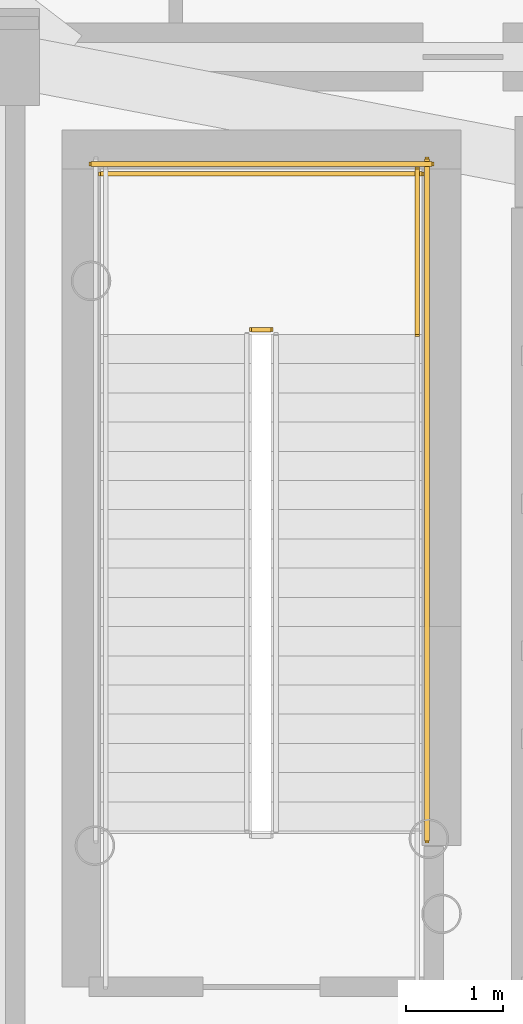
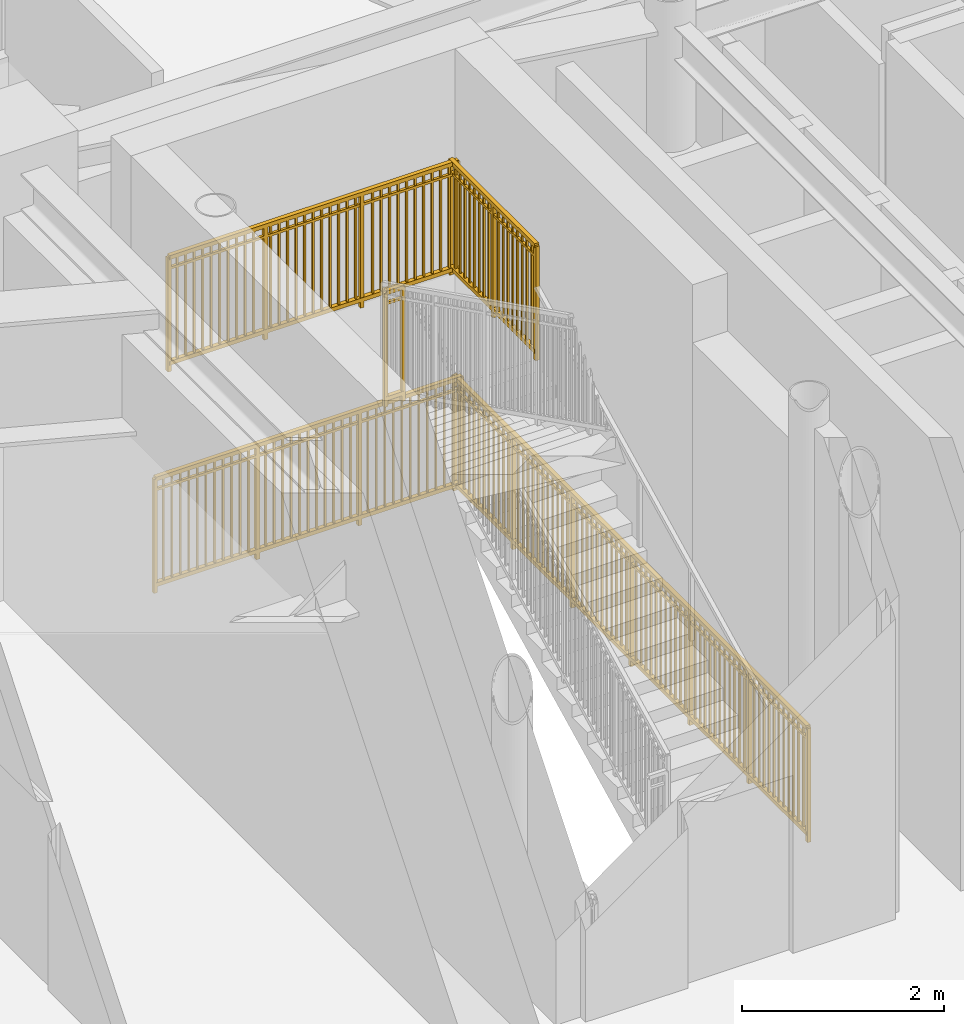
# One storey, part 11 of 14: 5 railings.
"""IFC4 building model written with IfcOpenShell, lengths in metres."""

from ifc_helpers import new_model, si_unit, direction, frame, origin, origin_2d, place, context, subcontext, project, spatial, rectangle, extrude, source, transform, mapped, material, type_object, element, save


model = new_model("IFC4")

# Units and contexts
model_context = context("Model", 3, precision=1e-05, world=origin(), true_north=direction((0.0, 1.0)))
body_context = subcontext(model_context, "Body", "Model", "MODEL_VIEW")
ifc_project = project(units=[si_unit("LENGTHUNIT", "METRE"), si_unit("AREAUNIT", "SQUARE_METRE"), si_unit("VOLUMEUNIT", "CUBIC_METRE"), si_unit("PLANEANGLEUNIT", "RADIAN"), si_unit("MASSUNIT", "GRAM", prefix="KILO")], contexts=[model_context])

# Site, building, storey
site_placement = place(None, origin())
site = spatial("IfcSite", under=ifc_project, at=site_placement, CompositionType="ELEMENT")
building_placement = place(site_placement, origin())
building = spatial("IfcBuilding", under=site, at=building_placement, Name="Linh Dai School and Residence Tower", CompositionType="ELEMENT")
storey_placement = place(building_placement, frame((0.0, 0.0, 262.800048828125)))
storey = spatial("IfcBuildingStorey", under=building, at=storey_placement, Name="L65", CompositionType="ELEMENT", Elevation=262.800048828125)

# Railings
ifc_material = material(Name="Structural Steel S355JR", Category="steel")
railing_type = type_object("IfcRailingType", Name="RL-ST-GUARD-1400", PredefinedType="GUARDRAIL", material=ifc_material)
shared_shape_1 = source(origin(), body_context, "Body", "SweptSolid", [
    extrude(rectangle(XDim=0.048095703125, YDim=0.048095703125, at=origin_2d()), frame((0.0, 0.0, 1.3759765625), z_axis=(-1.0, 0.0, 0.0), x_axis=(0.0, -1.0, 0.0)), (0.0, 0.0, 1.0), 0.199951171875),
    extrude(rectangle(XDim=0.048095703125, YDim=0.048095703125, at=origin_2d()), frame((0.0, 0.0, 0.10009765625), z_axis=(-1.0, 0.0, 0.0), x_axis=(0.0, -1.0, 0.0)), (0.0, 0.0, 1.0), 0.199951171875),
    extrude(rectangle(XDim=0.030029296875, YDim=0.030029296875, at=origin_2d()), frame((0.0, 0.0, 1.239990234375), z_axis=(-1.0, 0.0, 0.0), x_axis=(0.0, -1.0, 0.0)), (0.0, 0.0, 1.0), 0.199951171875),
    extrude(rectangle(XDim=0.0419921875, YDim=0.0419921875, at=origin_2d()), origin(), (0.0, 0.0, 1.0), 1.3759765625),
    extrude(rectangle(XDim=0.0419921875, YDim=0.0419921875, at=origin_2d()), frame((-0.199951171875, 0.0, 0.0)), (0.0, 0.0, 1.0), 1.3759765625),
])
railing_1_placement = place(storey_placement, frame((29.429931640625, 30.85009765625, 2.699951171875)))
element("IfcRailing", 1, at=railing_1_placement, inside=storey, type_object=railing_type, Name="L65 ST1 stair guard 2", PredefinedType="GUARDRAIL", context=body_context, shape_type="MappedRepresentation", body=[
    mapped(shared_shape_1, transform((0.0, 0.0, 0.0), x_axis=(1.0, 0.0, 0.0), y_axis=(0.0, 1.0, 0.0), z_axis=(0.0, 0.0, 1.0), scale=1.0)),
])
shared_shape_2 = source(origin(), body_context, "Body", "SweptSolid", [
    extrude(rectangle(XDim=0.048095703125, YDim=0.048095703125, at=origin_2d()), frame((0.0, 0.0, 1.3759765625), z_axis=(-1.0, 0.0, 0.0), x_axis=(0.0, -1.0, 0.0)), (0.0, 0.0, 1.0), 3.300048828125),
    extrude(rectangle(XDim=0.048095703125, YDim=0.048095703125, at=origin_2d()), frame((0.0, 0.0, 0.10009765625), z_axis=(-1.0, 0.0, 0.0), x_axis=(0.0, -1.0, 0.0)), (0.0, 0.0, 1.0), 3.300048828125),
    extrude(rectangle(XDim=0.030029296875, YDim=0.030029296875, at=origin_2d()), frame((0.0, 0.0, 1.239990234375), z_axis=(-1.0, 0.0, 0.0), x_axis=(0.0, -1.0, 0.0)), (0.0, 0.0, 1.0), 3.300048828125),
    extrude(rectangle(XDim=0.02001953125, YDim=0.02001953125, at=origin_2d()), frame((-0.09716796875, 0.0, 0.10009765625)), (0.0, 0.0, 1.0), 1.251708984375),
    extrude(rectangle(XDim=0.02001953125, YDim=0.02001953125, at=origin_2d()), frame((-0.194091796875, 0.0, 0.10009765625)), (0.0, 0.0, 1.0), 1.251708984375),
    extrude(rectangle(XDim=0.02001953125, YDim=0.02001953125, at=origin_2d()), frame((-0.291259765625, 0.0, 0.10009765625)), (0.0, 0.0, 1.0), 1.251708984375),
    extrude(rectangle(XDim=0.02001953125, YDim=0.02001953125, at=origin_2d()), frame((-0.38818359375, 0.0, 0.10009765625)), (0.0, 0.0, 1.0), 1.251708984375),
    extrude(rectangle(XDim=0.02001953125, YDim=0.02001953125, at=origin_2d()), frame((-0.4853515625, 0.0, 0.10009765625)), (0.0, 0.0, 1.0), 1.251708984375),
    extrude(rectangle(XDim=0.02001953125, YDim=0.02001953125, at=origin_2d()), frame((-0.582275390625, 0.0, 0.10009765625)), (0.0, 0.0, 1.0), 1.251708984375),
    extrude(rectangle(XDim=0.02001953125, YDim=0.02001953125, at=origin_2d()), frame((-0.679443359375, 0.0, 0.10009765625)), (0.0, 0.0, 1.0), 1.251708984375),
    extrude(rectangle(XDim=0.02001953125, YDim=0.02001953125, at=origin_2d()), frame((-0.7763671875, 0.0, 0.10009765625)), (0.0, 0.0, 1.0), 1.251708984375),
    extrude(rectangle(XDim=0.02001953125, YDim=0.02001953125, at=origin_2d()), frame((-0.87353515625, 0.0, 0.10009765625)), (0.0, 0.0, 1.0), 1.251708984375),
    extrude(rectangle(XDim=0.02001953125, YDim=0.02001953125, at=origin_2d()), frame((-0.970703125, 0.0, 0.10009765625)), (0.0, 0.0, 1.0), 1.251708984375),
    extrude(rectangle(XDim=0.02001953125, YDim=0.02001953125, at=origin_2d()), frame((-1.164794921875, 0.0, 0.10009765625)), (0.0, 0.0, 1.0), 1.251708984375),
    extrude(rectangle(XDim=0.02001953125, YDim=0.02001953125, at=origin_2d()), frame((-1.26171875, 0.0, 0.10009765625)), (0.0, 0.0, 1.0), 1.251708984375),
    extrude(rectangle(XDim=0.02001953125, YDim=0.02001953125, at=origin_2d()), frame((-1.35888671875, 0.0, 0.10009765625)), (0.0, 0.0, 1.0), 1.251708984375),
    extrude(rectangle(XDim=0.02001953125, YDim=0.02001953125, at=origin_2d()), frame((-1.455810546875, 0.0, 0.10009765625)), (0.0, 0.0, 1.0), 1.251708984375),
    extrude(rectangle(XDim=0.02001953125, YDim=0.02001953125, at=origin_2d()), frame((-1.552978515625, 0.0, 0.10009765625)), (0.0, 0.0, 1.0), 1.251708984375),
    extrude(rectangle(XDim=0.02001953125, YDim=0.02001953125, at=origin_2d()), frame((-1.64990234375, 0.0, 0.10009765625)), (0.0, 0.0, 1.0), 1.251708984375),
    extrude(rectangle(XDim=0.02001953125, YDim=0.02001953125, at=origin_2d()), frame((-1.7470703125, 0.0, 0.10009765625)), (0.0, 0.0, 1.0), 1.251708984375),
    extrude(rectangle(XDim=0.02001953125, YDim=0.02001953125, at=origin_2d()), frame((-1.84423828125, 0.0, 0.10009765625)), (0.0, 0.0, 1.0), 1.251708984375),
    extrude(rectangle(XDim=0.02001953125, YDim=0.02001953125, at=origin_2d()), frame((-1.941162109375, 0.0, 0.10009765625)), (0.0, 0.0, 1.0), 1.251708984375),
    extrude(rectangle(XDim=0.02001953125, YDim=0.02001953125, at=origin_2d()), frame((-2.038330078125, 0.0, 0.10009765625)), (0.0, 0.0, 1.0), 1.251708984375),
    extrude(rectangle(XDim=0.02001953125, YDim=0.02001953125, at=origin_2d()), frame((-2.13525390625, 0.0, 0.10009765625)), (0.0, 0.0, 1.0), 1.251708984375),
    extrude(rectangle(XDim=0.02001953125, YDim=0.02001953125, at=origin_2d()), frame((-2.329345703125, 0.0, 0.10009765625)), (0.0, 0.0, 1.0), 1.251708984375),
    extrude(rectangle(XDim=0.02001953125, YDim=0.02001953125, at=origin_2d()), frame((-2.426513671875, 0.0, 0.10009765625)), (0.0, 0.0, 1.0), 1.251708984375),
    extrude(rectangle(XDim=0.02001953125, YDim=0.02001953125, at=origin_2d()), frame((-2.523681640625, 0.0, 0.10009765625)), (0.0, 0.0, 1.0), 1.251708984375),
    extrude(rectangle(XDim=0.02001953125, YDim=0.02001953125, at=origin_2d()), frame((-2.62060546875, 0.0, 0.10009765625)), (0.0, 0.0, 1.0), 1.251708984375),
    extrude(rectangle(XDim=0.02001953125, YDim=0.02001953125, at=origin_2d()), frame((-2.7177734375, 0.0, 0.10009765625)), (0.0, 0.0, 1.0), 1.251708984375),
    extrude(rectangle(XDim=0.02001953125, YDim=0.02001953125, at=origin_2d()), frame((-2.814697265625, 0.0, 0.10009765625)), (0.0, 0.0, 1.0), 1.251708984375),
    extrude(rectangle(XDim=0.02001953125, YDim=0.02001953125, at=origin_2d()), frame((-2.911865234375, 0.0, 0.10009765625)), (0.0, 0.0, 1.0), 1.251708984375),
    extrude(rectangle(XDim=0.02001953125, YDim=0.02001953125, at=origin_2d()), frame((-3.0087890625, 0.0, 0.10009765625)), (0.0, 0.0, 1.0), 1.251708984375),
    extrude(rectangle(XDim=0.02001953125, YDim=0.02001953125, at=origin_2d()), frame((-3.10595703125, 0.0, 0.10009765625)), (0.0, 0.0, 1.0), 1.251708984375),
    extrude(rectangle(XDim=0.02001953125, YDim=0.02001953125, at=origin_2d()), frame((-3.202880859375, 0.0, 0.10009765625)), (0.0, 0.0, 1.0), 1.251708984375),
    extrude(rectangle(XDim=0.0419921875, YDim=0.0419921875, at=origin_2d()), origin(), (0.0, 0.0, 1.0), 1.3759765625),
    extrude(rectangle(XDim=0.0419921875, YDim=0.0419921875, at=origin_2d()), frame((-1.10009765625, 0.0, 0.0)), (0.0, 0.0, 1.0), 1.3759765625),
    extrude(rectangle(XDim=0.0419921875, YDim=0.0419921875, at=origin_2d()), frame((-2.199951171875, 0.0, 0.0)), (0.0, 0.0, 1.0), 1.3759765625),
    extrude(rectangle(XDim=0.0419921875, YDim=0.0419921875, at=origin_2d()), frame((-3.300048828125, 0.0, 0.0)), (0.0, 0.0, 1.0), 1.3759765625),
])
railing_2_placement = place(storey_placement, frame((30.97998046875, 32.449951171875, 2.699951171875)))
element("IfcRailing", 2, at=railing_2_placement, inside=storey, type_object=railing_type, Name="L65 ST1 stair guard 5", PredefinedType="GUARDRAIL", context=body_context, shape_type="MappedRepresentation", body=[
    mapped(shared_shape_2, transform((0.0, 0.0, 0.0), x_axis=(1.0, 0.0, 0.0), y_axis=(0.0, 1.0, 0.0), z_axis=(0.0, 0.0, 1.0), scale=1.0)),
])
shared_shape_3 = source(origin(), body_context, "Body", "SweptSolid", [
    extrude(rectangle(XDim=0.048095703125, YDim=0.048095703125, at=origin_2d()), frame((0.0, 0.0, 1.3759765625), z_axis=(0.0, 1.0, 0.0), x_axis=(-1.0, 0.0, 0.0)), (0.0, 0.0, 1.0), 7.0),
    extrude(rectangle(XDim=0.048095703125, YDim=0.048095703125, at=origin_2d()), frame((0.0, 0.0, 0.10009765625), z_axis=(0.0, 1.0, 0.0), x_axis=(-1.0, 0.0, 0.0)), (0.0, 0.0, 1.0), 7.0),
    extrude(rectangle(XDim=0.030029296875, YDim=0.030029296875, at=origin_2d()), frame((0.0, 0.0, 1.239990234375), z_axis=(0.0, 1.0, 0.0), x_axis=(-1.0, 0.0, 0.0)), (0.0, 0.0, 1.0), 7.0),
    extrude(rectangle(XDim=0.02001953125, YDim=0.02001953125, at=origin_2d()), frame((0.0, 0.09716796875, 0.10009765625)), (0.0, 0.0, 1.0), 1.251708984375),
    extrude(rectangle(XDim=0.02001953125, YDim=0.02001953125, at=origin_2d()), frame((0.0, 0.1943359375, 0.10009765625)), (0.0, 0.0, 1.0), 1.251708984375),
    extrude(rectangle(XDim=0.02001953125, YDim=0.02001953125, at=origin_2d()), frame((0.0, 0.291748046875, 0.10009765625)), (0.0, 0.0, 1.0), 1.251708984375),
    extrude(rectangle(XDim=0.02001953125, YDim=0.02001953125, at=origin_2d()), frame((0.0, 0.388916015625, 0.10009765625)), (0.0, 0.0, 1.0), 1.251708984375),
    extrude(rectangle(XDim=0.02001953125, YDim=0.02001953125, at=origin_2d()), frame((0.0, 0.486083984375, 0.10009765625)), (0.0, 0.0, 1.0), 1.251708984375),
    extrude(rectangle(XDim=0.02001953125, YDim=0.02001953125, at=origin_2d()), frame((0.0, 0.583251953125, 0.10009765625)), (0.0, 0.0, 1.0), 1.251708984375),
    extrude(rectangle(XDim=0.02001953125, YDim=0.02001953125, at=origin_2d()), frame((0.0, 0.6806640625, 0.10009765625)), (0.0, 0.0, 1.0), 1.251708984375),
    extrude(rectangle(XDim=0.02001953125, YDim=0.02001953125, at=origin_2d()), frame((0.0, 0.77783203125, 0.10009765625)), (0.0, 0.0, 1.0), 1.251708984375),
    extrude(rectangle(XDim=0.02001953125, YDim=0.02001953125, at=origin_2d()), frame((0.0, 0.875, 0.10009765625)), (0.0, 0.0, 1.0), 1.251708984375),
    extrude(rectangle(XDim=0.02001953125, YDim=0.02001953125, at=origin_2d()), frame((0.0, 0.97216796875, 0.10009765625)), (0.0, 0.0, 1.0), 1.251708984375),
    extrude(rectangle(XDim=0.02001953125, YDim=0.02001953125, at=origin_2d()), frame((0.0, 1.0693359375, 0.10009765625)), (0.0, 0.0, 1.0), 1.251708984375),
    extrude(rectangle(XDim=0.02001953125, YDim=0.02001953125, at=origin_2d()), frame((0.0, 1.263916015625, 0.10009765625)), (0.0, 0.0, 1.0), 1.251708984375),
    extrude(rectangle(XDim=0.02001953125, YDim=0.02001953125, at=origin_2d()), frame((0.0, 1.361083984375, 0.10009765625)), (0.0, 0.0, 1.0), 1.251708984375),
    extrude(rectangle(XDim=0.02001953125, YDim=0.02001953125, at=origin_2d()), frame((0.0, 1.458251953125, 0.10009765625)), (0.0, 0.0, 1.0), 1.251708984375),
    extrude(rectangle(XDim=0.02001953125, YDim=0.02001953125, at=origin_2d()), frame((0.0, 1.5556640625, 0.10009765625)), (0.0, 0.0, 1.0), 1.251708984375),
    extrude(rectangle(XDim=0.02001953125, YDim=0.02001953125, at=origin_2d()), frame((0.0, 1.65283203125, 0.10009765625)), (0.0, 0.0, 1.0), 1.251708984375),
    extrude(rectangle(XDim=0.02001953125, YDim=0.02001953125, at=origin_2d()), frame((0.0, 1.75, 0.10009765625)), (0.0, 0.0, 1.0), 1.251708984375),
    extrude(rectangle(XDim=0.02001953125, YDim=0.02001953125, at=origin_2d()), frame((0.0, 1.84716796875, 0.10009765625)), (0.0, 0.0, 1.0), 1.251708984375),
    extrude(rectangle(XDim=0.02001953125, YDim=0.02001953125, at=origin_2d()), frame((0.0, 1.9443359375, 0.10009765625)), (0.0, 0.0, 1.0), 1.251708984375),
    extrude(rectangle(XDim=0.02001953125, YDim=0.02001953125, at=origin_2d()), frame((0.0, 2.041748046875, 0.10009765625)), (0.0, 0.0, 1.0), 1.251708984375),
    extrude(rectangle(XDim=0.02001953125, YDim=0.02001953125, at=origin_2d()), frame((0.0, 2.138916015625, 0.10009765625)), (0.0, 0.0, 1.0), 1.251708984375),
    extrude(rectangle(XDim=0.02001953125, YDim=0.02001953125, at=origin_2d()), frame((0.0, 2.236083984375, 0.10009765625)), (0.0, 0.0, 1.0), 1.251708984375),
    extrude(rectangle(XDim=0.02001953125, YDim=0.02001953125, at=origin_2d()), frame((0.0, 2.4306640625, 0.10009765625)), (0.0, 0.0, 1.0), 1.251708984375),
    extrude(rectangle(XDim=0.02001953125, YDim=0.02001953125, at=origin_2d()), frame((0.0, 2.52783203125, 0.10009765625)), (0.0, 0.0, 1.0), 1.251708984375),
    extrude(rectangle(XDim=0.02001953125, YDim=0.02001953125, at=origin_2d()), frame((0.0, 2.625, 0.10009765625)), (0.0, 0.0, 1.0), 1.251708984375),
    extrude(rectangle(XDim=0.02001953125, YDim=0.02001953125, at=origin_2d()), frame((0.0, 2.72216796875, 0.10009765625)), (0.0, 0.0, 1.0), 1.251708984375),
    extrude(rectangle(XDim=0.02001953125, YDim=0.02001953125, at=origin_2d()), frame((0.0, 2.8193359375, 0.10009765625)), (0.0, 0.0, 1.0), 1.251708984375),
    extrude(rectangle(XDim=0.02001953125, YDim=0.02001953125, at=origin_2d()), frame((0.0, 2.916748046875, 0.10009765625)), (0.0, 0.0, 1.0), 1.251708984375),
    extrude(rectangle(XDim=0.02001953125, YDim=0.02001953125, at=origin_2d()), frame((0.0, 3.013916015625, 0.10009765625)), (0.0, 0.0, 1.0), 1.251708984375),
    extrude(rectangle(XDim=0.02001953125, YDim=0.02001953125, at=origin_2d()), frame((0.0, 3.111083984375, 0.10009765625)), (0.0, 0.0, 1.0), 1.251708984375),
    extrude(rectangle(XDim=0.02001953125, YDim=0.02001953125, at=origin_2d()), frame((0.0, 3.208251953125, 0.10009765625)), (0.0, 0.0, 1.0), 1.251708984375),
    extrude(rectangle(XDim=0.02001953125, YDim=0.02001953125, at=origin_2d()), frame((0.0, 3.3056640625, 0.10009765625)), (0.0, 0.0, 1.0), 1.251708984375),
    extrude(rectangle(XDim=0.02001953125, YDim=0.02001953125, at=origin_2d()), frame((0.0, 3.40283203125, 0.10009765625)), (0.0, 0.0, 1.0), 1.251708984375),
    extrude(rectangle(XDim=0.02001953125, YDim=0.02001953125, at=origin_2d()), frame((0.0, 3.59716796875, 0.10009765625)), (0.0, 0.0, 1.0), 1.251708984375),
    extrude(rectangle(XDim=0.02001953125, YDim=0.02001953125, at=origin_2d()), frame((0.0, 3.6943359375, 0.10009765625)), (0.0, 0.0, 1.0), 1.251708984375),
    extrude(rectangle(XDim=0.02001953125, YDim=0.02001953125, at=origin_2d()), frame((0.0, 3.791748046875, 0.10009765625)), (0.0, 0.0, 1.0), 1.251708984375),
    extrude(rectangle(XDim=0.02001953125, YDim=0.02001953125, at=origin_2d()), frame((0.0, 3.888916015625, 0.10009765625)), (0.0, 0.0, 1.0), 1.251708984375),
    extrude(rectangle(XDim=0.02001953125, YDim=0.02001953125, at=origin_2d()), frame((0.0, 3.986083984375, 0.10009765625)), (0.0, 0.0, 1.0), 1.251708984375),
    extrude(rectangle(XDim=0.02001953125, YDim=0.02001953125, at=origin_2d()), frame((0.0, 4.083251953125, 0.10009765625)), (0.0, 0.0, 1.0), 1.251708984375),
    extrude(rectangle(XDim=0.02001953125, YDim=0.02001953125, at=origin_2d()), frame((0.0, 4.1806640625, 0.10009765625)), (0.0, 0.0, 1.0), 1.251708984375),
    extrude(rectangle(XDim=0.02001953125, YDim=0.02001953125, at=origin_2d()), frame((0.0, 4.27783203125, 0.10009765625)), (0.0, 0.0, 1.0), 1.251708984375),
    extrude(rectangle(XDim=0.02001953125, YDim=0.02001953125, at=origin_2d()), frame((0.0, 4.375, 0.10009765625)), (0.0, 0.0, 1.0), 1.251708984375),
    extrude(rectangle(XDim=0.02001953125, YDim=0.02001953125, at=origin_2d()), frame((0.0, 4.47216796875, 0.10009765625)), (0.0, 0.0, 1.0), 1.251708984375),
    extrude(rectangle(XDim=0.02001953125, YDim=0.02001953125, at=origin_2d()), frame((0.0, 4.5693359375, 0.10009765625)), (0.0, 0.0, 1.0), 1.251708984375),
    extrude(rectangle(XDim=0.02001953125, YDim=0.02001953125, at=origin_2d()), frame((0.0, 4.763916015625, 0.10009765625)), (0.0, 0.0, 1.0), 1.251708984375),
    extrude(rectangle(XDim=0.02001953125, YDim=0.02001953125, at=origin_2d()), frame((0.0, 4.861083984375, 0.10009765625)), (0.0, 0.0, 1.0), 1.251708984375),
    extrude(rectangle(XDim=0.02001953125, YDim=0.02001953125, at=origin_2d()), frame((0.0, 4.958251953125, 0.10009765625)), (0.0, 0.0, 1.0), 1.251708984375),
    extrude(rectangle(XDim=0.02001953125, YDim=0.02001953125, at=origin_2d()), frame((0.0, 5.0556640625, 0.10009765625)), (0.0, 0.0, 1.0), 1.251708984375),
    extrude(rectangle(XDim=0.02001953125, YDim=0.02001953125, at=origin_2d()), frame((0.0, 5.15283203125, 0.10009765625)), (0.0, 0.0, 1.0), 1.251708984375),
    extrude(rectangle(XDim=0.02001953125, YDim=0.02001953125, at=origin_2d()), frame((0.0, 5.25, 0.10009765625)), (0.0, 0.0, 1.0), 1.251708984375),
    extrude(rectangle(XDim=0.02001953125, YDim=0.02001953125, at=origin_2d()), frame((0.0, 5.34716796875, 0.10009765625)), (0.0, 0.0, 1.0), 1.251708984375),
    extrude(rectangle(XDim=0.02001953125, YDim=0.02001953125, at=origin_2d()), frame((0.0, 5.4443359375, 0.10009765625)), (0.0, 0.0, 1.0), 1.251708984375),
    extrude(rectangle(XDim=0.02001953125, YDim=0.02001953125, at=origin_2d()), frame((0.0, 5.541748046875, 0.10009765625)), (0.0, 0.0, 1.0), 1.251708984375),
    extrude(rectangle(XDim=0.02001953125, YDim=0.02001953125, at=origin_2d()), frame((0.0, 5.638916015625, 0.10009765625)), (0.0, 0.0, 1.0), 1.251708984375),
    extrude(rectangle(XDim=0.02001953125, YDim=0.02001953125, at=origin_2d()), frame((0.0, 5.736083984375, 0.10009765625)), (0.0, 0.0, 1.0), 1.251708984375),
    extrude(rectangle(XDim=0.02001953125, YDim=0.02001953125, at=origin_2d()), frame((0.0, 5.9306640625, 0.10009765625)), (0.0, 0.0, 1.0), 1.251708984375),
    extrude(rectangle(XDim=0.02001953125, YDim=0.02001953125, at=origin_2d()), frame((0.0, 6.02783203125, 0.10009765625)), (0.0, 0.0, 1.0), 1.251708984375),
    extrude(rectangle(XDim=0.02001953125, YDim=0.02001953125, at=origin_2d()), frame((0.0, 6.125, 0.10009765625)), (0.0, 0.0, 1.0), 1.251708984375),
    extrude(rectangle(XDim=0.02001953125, YDim=0.02001953125, at=origin_2d()), frame((0.0, 6.22216796875, 0.10009765625)), (0.0, 0.0, 1.0), 1.251708984375),
    extrude(rectangle(XDim=0.02001953125, YDim=0.02001953125, at=origin_2d()), frame((0.0, 6.3193359375, 0.10009765625)), (0.0, 0.0, 1.0), 1.251708984375),
    extrude(rectangle(XDim=0.02001953125, YDim=0.02001953125, at=origin_2d()), frame((0.0, 6.416748046875, 0.10009765625)), (0.0, 0.0, 1.0), 1.251708984375),
    extrude(rectangle(XDim=0.02001953125, YDim=0.02001953125, at=origin_2d()), frame((0.0, 6.513916015625, 0.10009765625)), (0.0, 0.0, 1.0), 1.251708984375),
    extrude(rectangle(XDim=0.02001953125, YDim=0.02001953125, at=origin_2d()), frame((0.0, 6.611083984375, 0.10009765625)), (0.0, 0.0, 1.0), 1.251708984375),
    extrude(rectangle(XDim=0.02001953125, YDim=0.02001953125, at=origin_2d()), frame((0.0, 6.708251953125, 0.10009765625)), (0.0, 0.0, 1.0), 1.251708984375),
    extrude(rectangle(XDim=0.02001953125, YDim=0.02001953125, at=origin_2d()), frame((0.0, 6.8056640625, 0.10009765625)), (0.0, 0.0, 1.0), 1.251708984375),
    extrude(rectangle(XDim=0.02001953125, YDim=0.02001953125, at=origin_2d()), frame((0.0, 6.90283203125, 0.10009765625)), (0.0, 0.0, 1.0), 1.251708984375),
    extrude(rectangle(XDim=0.0419921875, YDim=0.0419921875, at=origin_2d()), origin(), (0.0, 0.0, 1.0), 1.3759765625),
    extrude(rectangle(XDim=0.0419921875, YDim=0.0419921875, at=origin_2d()), frame((0.0, 1.166748046875, 0.0)), (0.0, 0.0, 1.0), 1.3759765625),
    extrude(rectangle(XDim=0.0419921875, YDim=0.0419921875, at=origin_2d()), frame((0.0, 2.333251953125, 0.0)), (0.0, 0.0, 1.0), 1.3759765625),
    extrude(rectangle(XDim=0.0419921875, YDim=0.0419921875, at=origin_2d()), frame((0.0, 3.5, 0.0)), (0.0, 0.0, 1.0), 1.3759765625),
    extrude(rectangle(XDim=0.0419921875, YDim=0.0419921875, at=origin_2d()), frame((0.0, 4.666748046875, 0.0)), (0.0, 0.0, 1.0), 1.3759765625),
    extrude(rectangle(XDim=0.0419921875, YDim=0.0419921875, at=origin_2d()), frame((0.0, 5.833251953125, 0.0)), (0.0, 0.0, 1.0), 1.3759765625),
    extrude(rectangle(XDim=0.0419921875, YDim=0.0419921875, at=origin_2d()), frame((0.0, 7.0, 0.0)), (0.0, 0.0, 1.0), 1.3759765625),
])
railing_3_placement = place(storey_placement, frame((31.030029296875, 25.60009765625, 0.0)))
element("IfcRailing", 3, at=railing_3_placement, inside=storey, type_object=railing_type, Name="L65 ST1 stair guard 10", PredefinedType="GUARDRAIL", context=body_context, shape_type="MappedRepresentation", body=[
    mapped(shared_shape_3, transform((0.0, 0.0, 0.0), x_axis=(1.0, 0.0, 0.0), y_axis=(0.0, 1.0, 0.0), z_axis=(0.0, 0.0, 1.0), scale=1.0)),
])
shared_shape_4 = source(origin(), body_context, "Body", "SweptSolid", [
    extrude(rectangle(XDim=0.048095703125, YDim=0.048095703125, at=origin_2d()), frame((0.0, 0.0, 1.3759765625), z_axis=(-1.0, 0.0, 0.0), x_axis=(0.0, -1.0, 0.0)), (0.0, 0.0, 1.0), 3.5),
    extrude(rectangle(XDim=0.048095703125, YDim=0.048095703125, at=origin_2d()), frame((0.0, 0.0, 0.10009765625), z_axis=(-1.0, 0.0, 0.0), x_axis=(0.0, -1.0, 0.0)), (0.0, 0.0, 1.0), 3.5),
    extrude(rectangle(XDim=0.030029296875, YDim=0.030029296875, at=origin_2d()), frame((0.0, 0.0, 1.239990234375), z_axis=(-1.0, 0.0, 0.0), x_axis=(0.0, -1.0, 0.0)), (0.0, 0.0, 1.0), 3.5),
    extrude(rectangle(XDim=0.02001953125, YDim=0.02001953125, at=origin_2d()), frame((-0.09716796875, 0.0, 0.10009765625)), (0.0, 0.0, 1.0), 1.251708984375),
    extrude(rectangle(XDim=0.02001953125, YDim=0.02001953125, at=origin_2d()), frame((-0.1943359375, 0.0, 0.10009765625)), (0.0, 0.0, 1.0), 1.251708984375),
    extrude(rectangle(XDim=0.02001953125, YDim=0.02001953125, at=origin_2d()), frame((-0.291748046875, 0.0, 0.10009765625)), (0.0, 0.0, 1.0), 1.251708984375),
    extrude(rectangle(XDim=0.02001953125, YDim=0.02001953125, at=origin_2d()), frame((-0.388916015625, 0.0, 0.10009765625)), (0.0, 0.0, 1.0), 1.251708984375),
    extrude(rectangle(XDim=0.02001953125, YDim=0.02001953125, at=origin_2d()), frame((-0.486083984375, 0.0, 0.10009765625)), (0.0, 0.0, 1.0), 1.251708984375),
    extrude(rectangle(XDim=0.02001953125, YDim=0.02001953125, at=origin_2d()), frame((-0.583251953125, 0.0, 0.10009765625)), (0.0, 0.0, 1.0), 1.251708984375),
    extrude(rectangle(XDim=0.02001953125, YDim=0.02001953125, at=origin_2d()), frame((-0.6806640625, 0.0, 0.10009765625)), (0.0, 0.0, 1.0), 1.251708984375),
    extrude(rectangle(XDim=0.02001953125, YDim=0.02001953125, at=origin_2d()), frame((-0.77783203125, 0.0, 0.10009765625)), (0.0, 0.0, 1.0), 1.251708984375),
    extrude(rectangle(XDim=0.02001953125, YDim=0.02001953125, at=origin_2d()), frame((-0.875, 0.0, 0.10009765625)), (0.0, 0.0, 1.0), 1.251708984375),
    extrude(rectangle(XDim=0.02001953125, YDim=0.02001953125, at=origin_2d()), frame((-0.97216796875, 0.0, 0.10009765625)), (0.0, 0.0, 1.0), 1.251708984375),
    extrude(rectangle(XDim=0.02001953125, YDim=0.02001953125, at=origin_2d()), frame((-1.0693359375, 0.0, 0.10009765625)), (0.0, 0.0, 1.0), 1.251708984375),
    extrude(rectangle(XDim=0.02001953125, YDim=0.02001953125, at=origin_2d()), frame((-1.263916015625, 0.0, 0.10009765625)), (0.0, 0.0, 1.0), 1.251708984375),
    extrude(rectangle(XDim=0.02001953125, YDim=0.02001953125, at=origin_2d()), frame((-1.361083984375, 0.0, 0.10009765625)), (0.0, 0.0, 1.0), 1.251708984375),
    extrude(rectangle(XDim=0.02001953125, YDim=0.02001953125, at=origin_2d()), frame((-1.458251953125, 0.0, 0.10009765625)), (0.0, 0.0, 1.0), 1.251708984375),
    extrude(rectangle(XDim=0.02001953125, YDim=0.02001953125, at=origin_2d()), frame((-1.5556640625, 0.0, 0.10009765625)), (0.0, 0.0, 1.0), 1.251708984375),
    extrude(rectangle(XDim=0.02001953125, YDim=0.02001953125, at=origin_2d()), frame((-1.65283203125, 0.0, 0.10009765625)), (0.0, 0.0, 1.0), 1.251708984375),
    extrude(rectangle(XDim=0.02001953125, YDim=0.02001953125, at=origin_2d()), frame((-1.75, 0.0, 0.10009765625)), (0.0, 0.0, 1.0), 1.251708984375),
    extrude(rectangle(XDim=0.02001953125, YDim=0.02001953125, at=origin_2d()), frame((-1.84716796875, 0.0, 0.10009765625)), (0.0, 0.0, 1.0), 1.251708984375),
    extrude(rectangle(XDim=0.02001953125, YDim=0.02001953125, at=origin_2d()), frame((-1.9443359375, 0.0, 0.10009765625)), (0.0, 0.0, 1.0), 1.251708984375),
    extrude(rectangle(XDim=0.02001953125, YDim=0.02001953125, at=origin_2d()), frame((-2.041748046875, 0.0, 0.10009765625)), (0.0, 0.0, 1.0), 1.251708984375),
    extrude(rectangle(XDim=0.02001953125, YDim=0.02001953125, at=origin_2d()), frame((-2.138916015625, 0.0, 0.10009765625)), (0.0, 0.0, 1.0), 1.251708984375),
    extrude(rectangle(XDim=0.02001953125, YDim=0.02001953125, at=origin_2d()), frame((-2.236083984375, 0.0, 0.10009765625)), (0.0, 0.0, 1.0), 1.251708984375),
    extrude(rectangle(XDim=0.02001953125, YDim=0.02001953125, at=origin_2d()), frame((-2.4306640625, 0.0, 0.10009765625)), (0.0, 0.0, 1.0), 1.251708984375),
    extrude(rectangle(XDim=0.02001953125, YDim=0.02001953125, at=origin_2d()), frame((-2.52783203125, 0.0, 0.10009765625)), (0.0, 0.0, 1.0), 1.251708984375),
    extrude(rectangle(XDim=0.02001953125, YDim=0.02001953125, at=origin_2d()), frame((-2.625, 0.0, 0.10009765625)), (0.0, 0.0, 1.0), 1.251708984375),
    extrude(rectangle(XDim=0.02001953125, YDim=0.02001953125, at=origin_2d()), frame((-2.72216796875, 0.0, 0.10009765625)), (0.0, 0.0, 1.0), 1.251708984375),
    extrude(rectangle(XDim=0.02001953125, YDim=0.02001953125, at=origin_2d()), frame((-2.8193359375, 0.0, 0.10009765625)), (0.0, 0.0, 1.0), 1.251708984375),
    extrude(rectangle(XDim=0.02001953125, YDim=0.02001953125, at=origin_2d()), frame((-2.916748046875, 0.0, 0.10009765625)), (0.0, 0.0, 1.0), 1.251708984375),
    extrude(rectangle(XDim=0.02001953125, YDim=0.02001953125, at=origin_2d()), frame((-3.013916015625, 0.0, 0.10009765625)), (0.0, 0.0, 1.0), 1.251708984375),
    extrude(rectangle(XDim=0.02001953125, YDim=0.02001953125, at=origin_2d()), frame((-3.111083984375, 0.0, 0.10009765625)), (0.0, 0.0, 1.0), 1.251708984375),
    extrude(rectangle(XDim=0.02001953125, YDim=0.02001953125, at=origin_2d()), frame((-3.208251953125, 0.0, 0.10009765625)), (0.0, 0.0, 1.0), 1.251708984375),
    extrude(rectangle(XDim=0.02001953125, YDim=0.02001953125, at=origin_2d()), frame((-3.3056640625, 0.0, 0.10009765625)), (0.0, 0.0, 1.0), 1.251708984375),
    extrude(rectangle(XDim=0.02001953125, YDim=0.02001953125, at=origin_2d()), frame((-3.40283203125, 0.0, 0.10009765625)), (0.0, 0.0, 1.0), 1.251708984375),
    extrude(rectangle(XDim=0.0419921875, YDim=0.0419921875, at=origin_2d()), origin(), (0.0, 0.0, 1.0), 1.3759765625),
    extrude(rectangle(XDim=0.0419921875, YDim=0.0419921875, at=origin_2d()), frame((-1.166748046875, 0.0, 0.0)), (0.0, 0.0, 1.0), 1.3759765625),
    extrude(rectangle(XDim=0.0419921875, YDim=0.0419921875, at=origin_2d()), frame((-2.333251953125, 0.0, 0.0)), (0.0, 0.0, 1.0), 1.3759765625),
    extrude(rectangle(XDim=0.0419921875, YDim=0.0419921875, at=origin_2d()), frame((-3.5, 0.0, 0.0)), (0.0, 0.0, 1.0), 1.3759765625),
])
railing_4_placement = place(storey_placement, frame((31.080078125, 32.550048828125, 0.0)))
element("IfcRailing", 4, at=railing_4_placement, inside=storey, type_object=railing_type, Name="L65 ST1 stair guard 12", PredefinedType="GUARDRAIL", context=body_context, shape_type="MappedRepresentation", body=[
    mapped(shared_shape_4, transform((0.0, 0.0, 0.0), x_axis=(1.0, 0.0, 0.0), y_axis=(0.0, 1.0, 0.0), z_axis=(0.0, 0.0, 1.0), scale=1.0)),
])
shared_shape_5 = source(origin(), body_context, "Body", "SweptSolid", [
    extrude(rectangle(XDim=0.048095703125, YDim=0.048095703125, at=origin_2d()), frame((0.0, 0.0, 1.3759765625), z_axis=(0.0, 1.0, 0.0), x_axis=(-1.0, 0.0, 0.0)), (0.0, 0.0, 1.0), 1.699951171875),
    extrude(rectangle(XDim=0.048095703125, YDim=0.048095703125, at=origin_2d()), frame((0.0, 0.0, 0.10009765625), z_axis=(0.0, 1.0, 0.0), x_axis=(-1.0, 0.0, 0.0)), (0.0, 0.0, 1.0), 1.699951171875),
    extrude(rectangle(XDim=0.030029296875, YDim=0.030029296875, at=origin_2d()), frame((0.0, 0.0, 1.239990234375), z_axis=(0.0, 1.0, 0.0), x_axis=(-1.0, 0.0, 0.0)), (0.0, 0.0, 1.0), 1.699951171875),
    extrude(rectangle(XDim=0.02001953125, YDim=0.02001953125, at=origin_2d()), frame((0.0, 0.094482421875, 0.10009765625)), (0.0, 0.0, 1.0), 1.251708984375),
    extrude(rectangle(XDim=0.02001953125, YDim=0.02001953125, at=origin_2d()), frame((0.0, 0.18896484375, 0.10009765625)), (0.0, 0.0, 1.0), 1.251708984375),
    extrude(rectangle(XDim=0.02001953125, YDim=0.02001953125, at=origin_2d()), frame((0.0, 0.283203125, 0.10009765625)), (0.0, 0.0, 1.0), 1.251708984375),
    extrude(rectangle(XDim=0.02001953125, YDim=0.02001953125, at=origin_2d()), frame((0.0, 0.377685546875, 0.10009765625)), (0.0, 0.0, 1.0), 1.251708984375),
    extrude(rectangle(XDim=0.02001953125, YDim=0.02001953125, at=origin_2d()), frame((0.0, 0.47216796875, 0.10009765625)), (0.0, 0.0, 1.0), 1.251708984375),
    extrude(rectangle(XDim=0.02001953125, YDim=0.02001953125, at=origin_2d()), frame((0.0, 0.566650390625, 0.10009765625)), (0.0, 0.0, 1.0), 1.251708984375),
    extrude(rectangle(XDim=0.02001953125, YDim=0.02001953125, at=origin_2d()), frame((0.0, 0.6611328125, 0.10009765625)), (0.0, 0.0, 1.0), 1.251708984375),
    extrude(rectangle(XDim=0.02001953125, YDim=0.02001953125, at=origin_2d()), frame((0.0, 0.755615234375, 0.10009765625)), (0.0, 0.0, 1.0), 1.251708984375),
    extrude(rectangle(XDim=0.02001953125, YDim=0.02001953125, at=origin_2d()), frame((0.0, 0.9443359375, 0.10009765625)), (0.0, 0.0, 1.0), 1.251708984375),
    extrude(rectangle(XDim=0.02001953125, YDim=0.02001953125, at=origin_2d()), frame((0.0, 1.038818359375, 0.10009765625)), (0.0, 0.0, 1.0), 1.251708984375),
    extrude(rectangle(XDim=0.02001953125, YDim=0.02001953125, at=origin_2d()), frame((0.0, 1.13330078125, 0.10009765625)), (0.0, 0.0, 1.0), 1.251708984375),
    extrude(rectangle(XDim=0.02001953125, YDim=0.02001953125, at=origin_2d()), frame((0.0, 1.227783203125, 0.10009765625)), (0.0, 0.0, 1.0), 1.251708984375),
    extrude(rectangle(XDim=0.02001953125, YDim=0.02001953125, at=origin_2d()), frame((0.0, 1.322265625, 0.10009765625)), (0.0, 0.0, 1.0), 1.251708984375),
    extrude(rectangle(XDim=0.02001953125, YDim=0.02001953125, at=origin_2d()), frame((0.0, 1.41650390625, 0.10009765625)), (0.0, 0.0, 1.0), 1.251708984375),
    extrude(rectangle(XDim=0.02001953125, YDim=0.02001953125, at=origin_2d()), frame((0.0, 1.510986328125, 0.10009765625)), (0.0, 0.0, 1.0), 1.251708984375),
    extrude(rectangle(XDim=0.02001953125, YDim=0.02001953125, at=origin_2d()), frame((0.0, 1.60546875, 0.10009765625)), (0.0, 0.0, 1.0), 1.251708984375),
    extrude(rectangle(XDim=0.0419921875, YDim=0.0419921875, at=origin_2d()), origin(), (0.0, 0.0, 1.0), 1.3759765625),
    extrude(rectangle(XDim=0.0419921875, YDim=0.0419921875, at=origin_2d()), frame((0.0, 0.85009765625, 0.0)), (0.0, 0.0, 1.0), 1.3759765625),
    extrude(rectangle(XDim=0.0419921875, YDim=0.0419921875, at=origin_2d()), frame((0.0, 1.699951171875, 0.0)), (0.0, 0.0, 1.0), 1.3759765625),
])
railing_5_placement = place(storey_placement, frame((30.929931640625, 30.800048828125, 2.699951171875)))
element("IfcRailing", 5, at=railing_5_placement, inside=storey, type_object=railing_type, Name="L65 ST1 stair guard 3", PredefinedType="GUARDRAIL", context=body_context, shape_type="MappedRepresentation", body=[
    mapped(shared_shape_5, transform((0.0, 0.0, 0.0), x_axis=(1.0, 0.0, 0.0), y_axis=(0.0, 1.0, 0.0), z_axis=(0.0, 0.0, 1.0), scale=1.0)),
])

save(model, "model.ifc")
